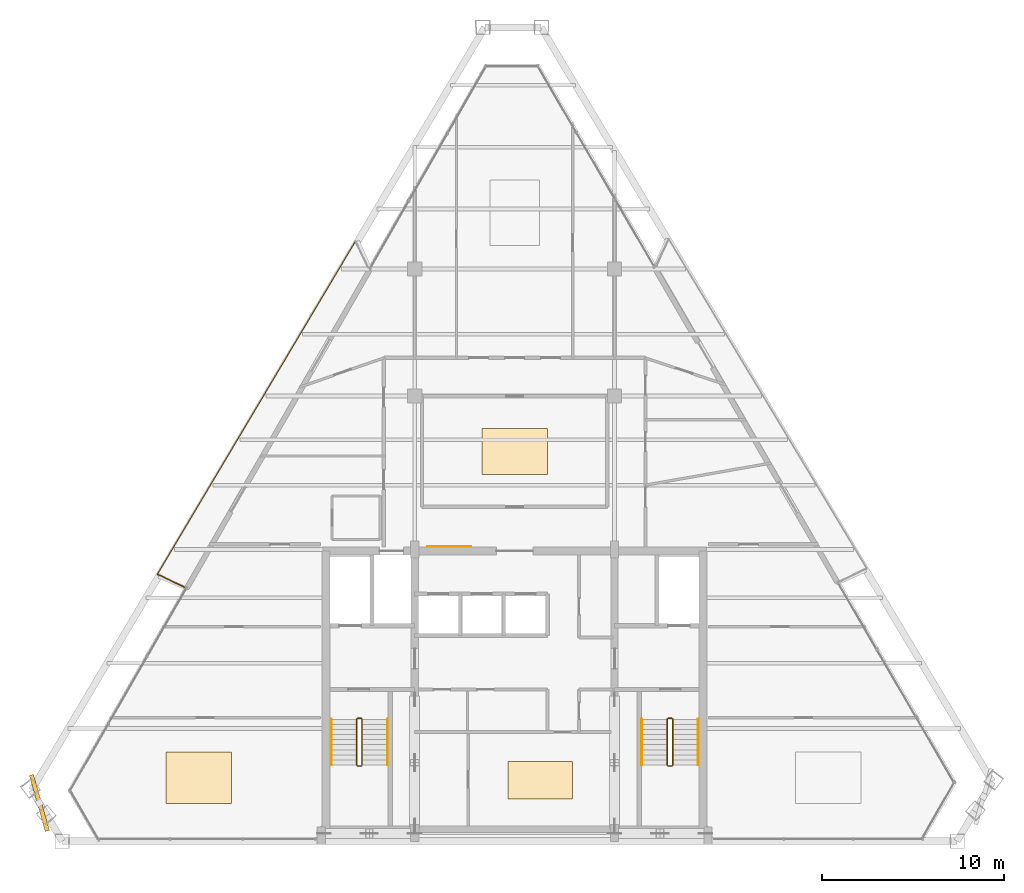
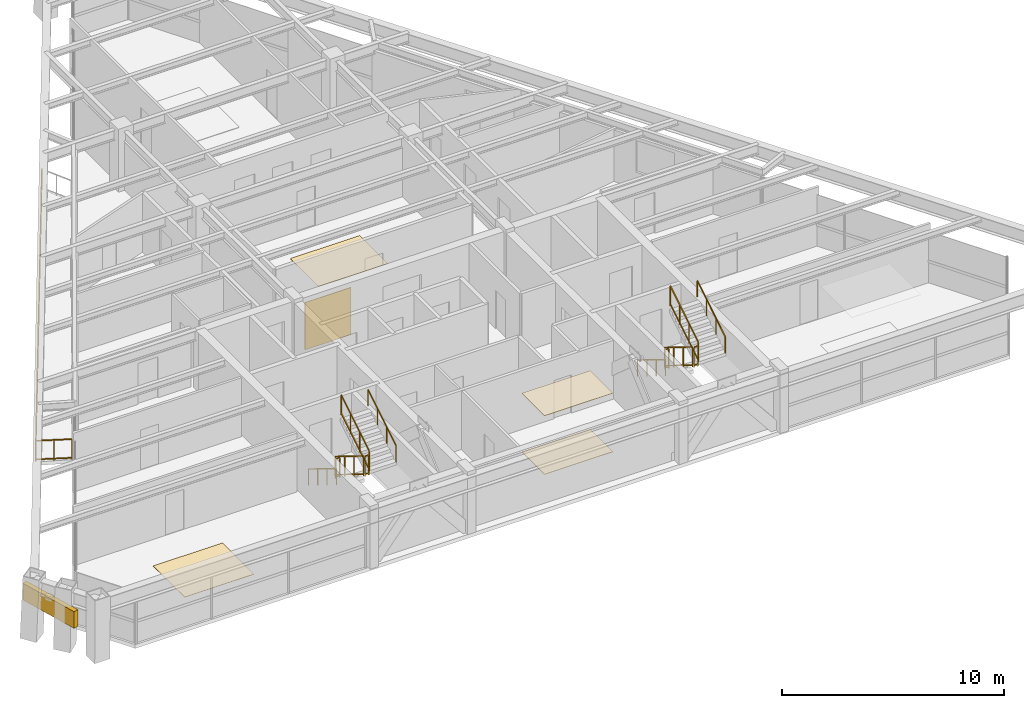
# One storey, part 12 of 13: 14 railings, 5 coverings, 1 shading device.
"""IFC4 building model written with IfcOpenShell, lengths in metres."""

from ifc_helpers import new_model, si_unit, direction, frame, origin, origin_2d, place, context, subcontext, project, spatial, rectangle, extrude, source, transform, mapped, material, layer, layer_set, type_object, type_shapes, element, save


model = new_model("IFC4")

# Units and contexts
model_context = context("Model", 3, precision=1e-05, world=origin(), true_north=direction((0.0, 1.0)))
body_context = subcontext(model_context, "Body", "Model", "MODEL_VIEW")
ifc_project = project(units=[si_unit("LENGTHUNIT", "METRE"), si_unit("AREAUNIT", "SQUARE_METRE"), si_unit("VOLUMEUNIT", "CUBIC_METRE"), si_unit("PLANEANGLEUNIT", "RADIAN"), si_unit("MASSUNIT", "GRAM", prefix="KILO")], contexts=[model_context])

# Site, building, storey
site_placement = place(None, origin())
site = spatial("IfcSite", under=ifc_project, at=site_placement, CompositionType="ELEMENT")
building_placement = place(site_placement, origin())
building = spatial("IfcBuilding", under=site, at=building_placement, Name="Varnakhor Terracotta Tower", CompositionType="ELEMENT")
storey_placement = place(building_placement, frame((0.0, 0.0, 290.25)))
storey = spatial("IfcBuildingStorey", under=building, at=storey_placement, Name="L76", CompositionType="ELEMENT", Elevation=290.25)

# Railings
ifc_material_1 = material(Name="Stainless Steel & Laminated Glass Guardrail", Category="steel")
railing_type_1 = type_object("IfcRailingType", Name="RLG-LOGGIA-GUARD-1150", PredefinedType="GUARDRAIL", material=ifc_material_1)
railing_1_placement = place(storey_placement, frame((-18.173095703125, 13.985107421875, 0.0)))
element("IfcRailing", 1, at=railing_1_placement, inside=storey, type_object=railing_type_1, Name="L76 W Loggia Glass Guard 1", PredefinedType="GUARDRAIL", context=body_context, shape_type="SweptSolid", body=[
    extrude(rectangle(XDim=0.048095703125, YDim=0.048095703125, at=origin_2d()), frame((0.0, 0.0, 1.1259765625), z_axis=(-0.902021450968, 0.431691211394, 0.0), x_axis=(-0.431691211394, -0.902021450968, 0.0)), (0.0, 0.0, 1.0), 1.649169921875),
    extrude(rectangle(XDim=0.048095703125, YDim=0.048095703125, at=origin_2d()), frame((0.0, 0.0, 0.10009765625), z_axis=(-0.902021450968, 0.431691211394, 0.0), x_axis=(-0.431691211394, -0.902021450968, 0.0)), (0.0, 0.0, 1.0), 1.649169921875),
    extrude(rectangle(XDim=0.0419921875, YDim=0.0419921875, at=origin_2d()), origin(), (0.0, 0.0, 1.0), 1.101806640625),
    extrude(rectangle(XDim=0.0419921875, YDim=0.0419921875, at=origin_2d()), frame((-0.74365234375, 0.35595703125, 0.0)), (0.0, 0.0, 1.0), 1.101806640625),
    extrude(rectangle(XDim=0.0419921875, YDim=0.0419921875, at=origin_2d()), frame((-1.487548828125, 0.7119140625, 0.0)), (0.0, 0.0, 1.0), 1.101806640625),
])
railing_2_placement = place(storey_placement, frame((-19.66064453125, 14.697021484375, 0.0)))
element("IfcRailing", 2, at=railing_2_placement, inside=storey, type_object=railing_type_1, Name="L76 W Loggia Glass Guard 2", PredefinedType="GUARDRAIL", context=body_context, shape_type="SweptSolid", body=[
    extrude(rectangle(XDim=0.048095703125, YDim=0.048095703125, at=origin_2d()), frame((0.0, 0.0, 1.1259765625), z_axis=(0.511097350624, 0.859522831684, 0.0), x_axis=(-0.859522831684, 0.511097350624, 0.0)), (0.0, 0.0, 1.0), 21.31298828125),
    extrude(rectangle(XDim=0.048095703125, YDim=0.048095703125, at=origin_2d()), frame((0.0, 0.0, 0.10009765625), z_axis=(0.511097350624, 0.859522831684, 0.0), x_axis=(-0.859522831684, 0.511097350624, 0.0)), (0.0, 0.0, 1.0), 21.31298828125),
    extrude(rectangle(XDim=0.0419921875, YDim=0.0419921875, at=origin_2d()), origin(), (0.0, 0.0, 1.0), 1.101806640625),
    extrude(rectangle(XDim=0.0419921875, YDim=0.0419921875, at=origin_2d()), frame((0.680908203125, 1.14501953125, 0.0)), (0.0, 0.0, 1.0), 1.101806640625),
    extrude(rectangle(XDim=0.0419921875, YDim=0.0419921875, at=origin_2d()), frame((1.361572265625, 2.289794921875, 0.0)), (0.0, 0.0, 1.0), 1.101806640625),
    extrude(rectangle(XDim=0.0419921875, YDim=0.0419921875, at=origin_2d()), frame((2.04248046875, 3.434814453125, 0.0)), (0.0, 0.0, 1.0), 1.101806640625),
    extrude(rectangle(XDim=0.0419921875, YDim=0.0419921875, at=origin_2d()), frame((2.72314453125, 4.579833984375, 0.0)), (0.0, 0.0, 1.0), 1.101806640625),
    extrude(rectangle(XDim=0.0419921875, YDim=0.0419921875, at=origin_2d()), frame((3.404052734375, 5.724609375, 0.0)), (0.0, 0.0, 1.0), 1.101806640625),
    extrude(rectangle(XDim=0.0419921875, YDim=0.0419921875, at=origin_2d()), frame((4.0849609375, 6.86962890625, 0.0)), (0.0, 0.0, 1.0), 1.101806640625),
    extrude(rectangle(XDim=0.0419921875, YDim=0.0419921875, at=origin_2d()), frame((4.765625, 8.0146484375, 0.0)), (0.0, 0.0, 1.0), 1.101806640625),
    extrude(rectangle(XDim=0.0419921875, YDim=0.0419921875, at=origin_2d()), frame((5.446533203125, 9.15966796875, 0.0)), (0.0, 0.0, 1.0), 1.101806640625),
    extrude(rectangle(XDim=0.0419921875, YDim=0.0419921875, at=origin_2d()), frame((6.12744140625, 10.304443359375, 0.0)), (0.0, 0.0, 1.0), 1.101806640625),
    extrude(rectangle(XDim=0.0419921875, YDim=0.0419921875, at=origin_2d()), frame((6.80810546875, 11.449462890625, 0.0)), (0.0, 0.0, 1.0), 1.101806640625),
    extrude(rectangle(XDim=0.0419921875, YDim=0.0419921875, at=origin_2d()), frame((7.489013671875, 12.594482421875, 0.0)), (0.0, 0.0, 1.0), 1.101806640625),
    extrude(rectangle(XDim=0.0419921875, YDim=0.0419921875, at=origin_2d()), frame((8.169921875, 13.7392578125, 0.0)), (0.0, 0.0, 1.0), 1.101806640625),
    extrude(rectangle(XDim=0.0419921875, YDim=0.0419921875, at=origin_2d()), frame((8.8505859375, 14.88427734375, 0.0)), (0.0, 0.0, 1.0), 1.101806640625),
    extrude(rectangle(XDim=0.0419921875, YDim=0.0419921875, at=origin_2d()), frame((9.531494140625, 16.029296875, 0.0)), (0.0, 0.0, 1.0), 1.101806640625),
    extrude(rectangle(XDim=0.0419921875, YDim=0.0419921875, at=origin_2d()), frame((10.212158203125, 17.174072265625, 0.0)), (0.0, 0.0, 1.0), 1.101806640625),
    extrude(rectangle(XDim=0.0419921875, YDim=0.0419921875, at=origin_2d()), frame((10.89306640625, 18.319091796875, 0.0)), (0.0, 0.0, 1.0), 1.101806640625),
])
ifc_material_2 = material(Name="Painted Steel Stairwell Guardrail", Category="steel")
railing_type_2 = type_object("IfcRailingType", Name="RLG-STAIR-GUARD-1120", PredefinedType="GUARDRAIL", material=ifc_material_2)
railing_3_placement = place(storey_placement, frame((-8.699951171875, 6.7099609375, 0.172607421875)))
element("IfcRailing", 3, at=railing_3_placement, inside=storey, type_object=railing_type_2, Name="L76 ST-1 stair guard 1", PredefinedType="GUARDRAIL", context=body_context, shape_type="SweptSolid", body=[
    extrude(rectangle(XDim=0.048095703125, YDim=0.048095703125, at=origin_2d()), frame((0.0, 0.0, 1.09619140625), z_axis=(0.0, -0.851400495292, 0.524516154772), x_axis=(1.0, 0.0, 0.0)), (0.0, 0.0, 1.0), 2.9599609375),
    extrude(rectangle(XDim=0.048095703125, YDim=0.048095703125, at=origin_2d()), frame((0.0, 0.0, 0.10009765625), z_axis=(0.0, -0.851400495292, 0.524516154772), x_axis=(1.0, 0.0, 0.0)), (0.0, 0.0, 1.0), 2.9599609375),
    extrude(rectangle(XDim=0.0419921875, YDim=0.0419921875, at=origin_2d()), origin(), (0.0, 0.0, 1.0), 1.072021484375),
    extrude(rectangle(XDim=0.0419921875, YDim=0.0419921875, at=origin_2d()), frame((0.0, -0.840087890625, 0.517578125)), (0.0, 0.0, 1.0), 1.072021484375),
    extrude(rectangle(XDim=0.0419921875, YDim=0.0419921875, at=origin_2d()), frame((0.0, -1.679931640625, 1.034912109375)), (0.0, 0.0, 1.0), 1.072021484375),
    extrude(rectangle(XDim=0.0419921875, YDim=0.0419921875, at=origin_2d()), frame((0.0, -2.52001953125, 1.552490234375)), (0.0, 0.0, 1.0), 1.072021484375),
])
railing_4_placement = place(storey_placement, frame((-8.64990234375, 4.139892578125, 1.72509765625)))
element("IfcRailing", 4, at=railing_4_placement, inside=storey, type_object=railing_type_2, Name="L76 ST-1 stair guard 2", PredefinedType="GUARDRAIL", context=body_context, shape_type="SweptSolid", body=[
    extrude(rectangle(XDim=0.048095703125, YDim=0.048095703125, at=origin_2d()), frame((0.0, 0.0, 1.09619140625), z_axis=(1.0, 0.0, 0.0), x_axis=(0.0, 1.0, 0.0)), (0.0, 0.0, 1.0), 0.199951171875),
    extrude(rectangle(XDim=0.048095703125, YDim=0.048095703125, at=origin_2d()), frame((0.0, 0.0, 0.10009765625), z_axis=(1.0, 0.0, 0.0), x_axis=(0.0, 1.0, 0.0)), (0.0, 0.0, 1.0), 0.199951171875),
    extrude(rectangle(XDim=0.0419921875, YDim=0.0419921875, at=origin_2d()), origin(), (0.0, 0.0, 1.0), 1.072021484375),
    extrude(rectangle(XDim=0.0419921875, YDim=0.0419921875, at=origin_2d()), frame((0.199951171875, 0.0, 0.0)), (0.0, 0.0, 1.0), 1.072021484375),
])
railing_5_placement = place(storey_placement, frame((-8.39990234375, 4.18994140625, 1.8974609375)))
element("IfcRailing", 5, at=railing_5_placement, inside=storey, type_object=railing_type_2, Name="L76 ST-1 stair guard 3", PredefinedType="GUARDRAIL", context=body_context, shape_type="SweptSolid", body=[
    extrude(rectangle(XDim=0.048095703125, YDim=0.048095703125, at=origin_2d()), frame((0.0, 0.0, 1.09619140625), z_axis=(0.0, 0.851400495292, 0.524516154772), x_axis=(-1.0, 0.0, 0.0)), (0.0, 0.0, 1.0), 2.9599609375),
    extrude(rectangle(XDim=0.048095703125, YDim=0.048095703125, at=origin_2d()), frame((0.0, 0.0, 0.10009765625), z_axis=(0.0, 0.851400495292, 0.524516154772), x_axis=(-1.0, 0.0, 0.0)), (0.0, 0.0, 1.0), 2.9599609375),
    extrude(rectangle(XDim=0.0419921875, YDim=0.0419921875, at=origin_2d()), origin(), (0.0, 0.0, 1.0), 1.072021484375),
    extrude(rectangle(XDim=0.0419921875, YDim=0.0419921875, at=origin_2d()), frame((0.0, 0.840087890625, 0.517578125)), (0.0, 0.0, 1.0), 1.072021484375),
    extrude(rectangle(XDim=0.0419921875, YDim=0.0419921875, at=origin_2d()), frame((0.0, 1.679931640625, 1.034912109375)), (0.0, 0.0, 1.0), 1.072021484375),
    extrude(rectangle(XDim=0.0419921875, YDim=0.0419921875, at=origin_2d()), frame((0.0, 2.52001953125, 1.552490234375)), (0.0, 0.0, 1.0), 1.072021484375),
])
railing_6_placement = place(storey_placement, frame((-8.64990234375, 6.760009765625, 0.0)))
element("IfcRailing", 6, at=railing_6_placement, inside=storey, type_object=railing_type_2, Name="L76 ST-1 stair guard 4", PredefinedType="GUARDRAIL", context=body_context, shape_type="SweptSolid", body=[
    extrude(rectangle(XDim=0.048095703125, YDim=0.048095703125, at=origin_2d()), frame((0.0, 0.0, 1.09619140625), z_axis=(1.0, 0.0, 0.0), x_axis=(0.0, 1.0, 0.0)), (0.0, 0.0, 1.0), 0.199951171875),
    extrude(rectangle(XDim=0.048095703125, YDim=0.048095703125, at=origin_2d()), frame((0.0, 0.0, 0.10009765625), z_axis=(1.0, 0.0, 0.0), x_axis=(0.0, 1.0, 0.0)), (0.0, 0.0, 1.0), 0.199951171875),
    extrude(rectangle(XDim=0.0419921875, YDim=0.0419921875, at=origin_2d()), origin(), (0.0, 0.0, 1.0), 1.072021484375),
    extrude(rectangle(XDim=0.0419921875, YDim=0.0419921875, at=origin_2d()), frame((0.199951171875, 0.0, 0.0)), (0.0, 0.0, 1.0), 1.072021484375),
])
railing_7_placement = place(storey_placement, frame((8.39990234375, 6.7099609375, 0.172607421875)))
element("IfcRailing", 7, at=railing_7_placement, inside=storey, type_object=railing_type_2, Name="L76 ST-2 stair guard 1", PredefinedType="GUARDRAIL", context=body_context, shape_type="SweptSolid", body=[
    extrude(rectangle(XDim=0.048095703125, YDim=0.048095703125, at=origin_2d()), frame((0.0, 0.0, 1.09619140625), z_axis=(0.0, -0.851400495292, 0.524516154772), x_axis=(1.0, 0.0, 0.0)), (0.0, 0.0, 1.0), 2.9599609375),
    extrude(rectangle(XDim=0.048095703125, YDim=0.048095703125, at=origin_2d()), frame((0.0, 0.0, 0.10009765625), z_axis=(0.0, -0.851400495292, 0.524516154772), x_axis=(1.0, 0.0, 0.0)), (0.0, 0.0, 1.0), 2.9599609375),
    extrude(rectangle(XDim=0.0419921875, YDim=0.0419921875, at=origin_2d()), origin(), (0.0, 0.0, 1.0), 1.072021484375),
    extrude(rectangle(XDim=0.0419921875, YDim=0.0419921875, at=origin_2d()), frame((0.0, -0.840087890625, 0.517578125)), (0.0, 0.0, 1.0), 1.072021484375),
    extrude(rectangle(XDim=0.0419921875, YDim=0.0419921875, at=origin_2d()), frame((0.0, -1.679931640625, 1.034912109375)), (0.0, 0.0, 1.0), 1.072021484375),
    extrude(rectangle(XDim=0.0419921875, YDim=0.0419921875, at=origin_2d()), frame((0.0, -2.52001953125, 1.552490234375)), (0.0, 0.0, 1.0), 1.072021484375),
])
railing_8_placement = place(storey_placement, frame((8.449951171875, 4.139892578125, 1.72509765625)))
element("IfcRailing", 8, at=railing_8_placement, inside=storey, type_object=railing_type_2, Name="L76 ST-2 stair guard 2", PredefinedType="GUARDRAIL", context=body_context, shape_type="SweptSolid", body=[
    extrude(rectangle(XDim=0.048095703125, YDim=0.048095703125, at=origin_2d()), frame((0.0, 0.0, 1.09619140625), z_axis=(1.0, 0.0, 0.0), x_axis=(0.0, 1.0, 0.0)), (0.0, 0.0, 1.0), 0.199951171875),
    extrude(rectangle(XDim=0.048095703125, YDim=0.048095703125, at=origin_2d()), frame((0.0, 0.0, 0.10009765625), z_axis=(1.0, 0.0, 0.0), x_axis=(0.0, 1.0, 0.0)), (0.0, 0.0, 1.0), 0.199951171875),
    extrude(rectangle(XDim=0.0419921875, YDim=0.0419921875, at=origin_2d()), origin(), (0.0, 0.0, 1.0), 1.072021484375),
    extrude(rectangle(XDim=0.0419921875, YDim=0.0419921875, at=origin_2d()), frame((0.199951171875, 0.0, 0.0)), (0.0, 0.0, 1.0), 1.072021484375),
])
railing_9_placement = place(storey_placement, frame((8.699951171875, 4.18994140625, 1.8974609375)))
element("IfcRailing", 9, at=railing_9_placement, inside=storey, type_object=railing_type_2, Name="L76 ST-2 stair guard 3", PredefinedType="GUARDRAIL", context=body_context, shape_type="SweptSolid", body=[
    extrude(rectangle(XDim=0.048095703125, YDim=0.048095703125, at=origin_2d()), frame((0.0, 0.0, 1.09619140625), z_axis=(0.0, 0.851400495292, 0.524516154772), x_axis=(-1.0, 0.0, 0.0)), (0.0, 0.0, 1.0), 2.9599609375),
    extrude(rectangle(XDim=0.048095703125, YDim=0.048095703125, at=origin_2d()), frame((0.0, 0.0, 0.10009765625), z_axis=(0.0, 0.851400495292, 0.524516154772), x_axis=(-1.0, 0.0, 0.0)), (0.0, 0.0, 1.0), 2.9599609375),
    extrude(rectangle(XDim=0.0419921875, YDim=0.0419921875, at=origin_2d()), origin(), (0.0, 0.0, 1.0), 1.072021484375),
    extrude(rectangle(XDim=0.0419921875, YDim=0.0419921875, at=origin_2d()), frame((0.0, 0.840087890625, 0.517578125)), (0.0, 0.0, 1.0), 1.072021484375),
    extrude(rectangle(XDim=0.0419921875, YDim=0.0419921875, at=origin_2d()), frame((0.0, 1.679931640625, 1.034912109375)), (0.0, 0.0, 1.0), 1.072021484375),
    extrude(rectangle(XDim=0.0419921875, YDim=0.0419921875, at=origin_2d()), frame((0.0, 2.52001953125, 1.552490234375)), (0.0, 0.0, 1.0), 1.072021484375),
])
railing_10_placement = place(storey_placement, frame((8.449951171875, 6.760009765625, 0.0)))
element("IfcRailing", 10, at=railing_10_placement, inside=storey, type_object=railing_type_2, Name="L76 ST-2 stair guard 4", PredefinedType="GUARDRAIL", context=body_context, shape_type="SweptSolid", body=[
    extrude(rectangle(XDim=0.048095703125, YDim=0.048095703125, at=origin_2d()), frame((0.0, 0.0, 1.09619140625), z_axis=(1.0, 0.0, 0.0), x_axis=(0.0, 1.0, 0.0)), (0.0, 0.0, 1.0), 0.199951171875),
    extrude(rectangle(XDim=0.048095703125, YDim=0.048095703125, at=origin_2d()), frame((0.0, 0.0, 0.10009765625), z_axis=(1.0, 0.0, 0.0), x_axis=(0.0, 1.0, 0.0)), (0.0, 0.0, 1.0), 0.199951171875),
    extrude(rectangle(XDim=0.0419921875, YDim=0.0419921875, at=origin_2d()), origin(), (0.0, 0.0, 1.0), 1.072021484375),
    extrude(rectangle(XDim=0.0419921875, YDim=0.0419921875, at=origin_2d()), frame((0.199951171875, 0.0, 0.0)), (0.0, 0.0, 1.0), 1.072021484375),
])
ifc_material_3 = material(Name="Brushed Stainless Steel Handrail", Category="steel")
railing_type_3 = type_object("IfcRailingType", Name="RLG-STAIR-HANDRAIL-920", PredefinedType="HANDRAIL", material=ifc_material_3)
railing_11_placement = place(storey_placement, frame((-10.10009765625, 6.7099609375, 0.172607421875)))
element("IfcRailing", 11, at=railing_11_placement, inside=storey, type_object=railing_type_3, Name="L76 ST-1 stair handrail 1", PredefinedType="HANDRAIL", context=body_context, shape_type="SweptSolid", body=[
    extrude(rectangle(XDim=0.048095703125, YDim=0.048095703125, at=origin_2d()), frame((0.0, 0.0, 0.89599609375), z_axis=(0.0, -0.851400495292, 0.524516154772), x_axis=(1.0, 0.0, 0.0)), (0.0, 0.0, 1.0), 2.9599609375),
    extrude(rectangle(XDim=0.0419921875, YDim=0.0419921875, at=origin_2d()), origin(), (0.0, 0.0, 1.0), 0.871826171875),
    extrude(rectangle(XDim=0.0419921875, YDim=0.0419921875, at=origin_2d()), frame((0.0, -0.840087890625, 0.517578125)), (0.0, 0.0, 1.0), 0.871826171875),
    extrude(rectangle(XDim=0.0419921875, YDim=0.0419921875, at=origin_2d()), frame((0.0, -1.679931640625, 1.034912109375)), (0.0, 0.0, 1.0), 0.871826171875),
    extrude(rectangle(XDim=0.0419921875, YDim=0.0419921875, at=origin_2d()), frame((0.0, -2.52001953125, 1.552490234375)), (0.0, 0.0, 1.0), 0.871826171875),
])
railing_12_placement = place(storey_placement, frame((-7.0, 4.18994140625, 1.8974609375)))
element("IfcRailing", 12, at=railing_12_placement, inside=storey, type_object=railing_type_3, Name="L76 ST-1 stair handrail 2", PredefinedType="HANDRAIL", context=body_context, shape_type="SweptSolid", body=[
    extrude(rectangle(XDim=0.048095703125, YDim=0.048095703125, at=origin_2d()), frame((0.0, 0.0, 0.89599609375), z_axis=(0.0, 0.851400495292, 0.524516154772), x_axis=(-1.0, 0.0, 0.0)), (0.0, 0.0, 1.0), 2.9599609375),
    extrude(rectangle(XDim=0.0419921875, YDim=0.0419921875, at=origin_2d()), origin(), (0.0, 0.0, 1.0), 0.871826171875),
    extrude(rectangle(XDim=0.0419921875, YDim=0.0419921875, at=origin_2d()), frame((0.0, 0.840087890625, 0.517578125)), (0.0, 0.0, 1.0), 0.871826171875),
    extrude(rectangle(XDim=0.0419921875, YDim=0.0419921875, at=origin_2d()), frame((0.0, 1.679931640625, 1.034912109375)), (0.0, 0.0, 1.0), 0.871826171875),
    extrude(rectangle(XDim=0.0419921875, YDim=0.0419921875, at=origin_2d()), frame((0.0, 2.52001953125, 1.552490234375)), (0.0, 0.0, 1.0), 0.871826171875),
])
railing_13_placement = place(storey_placement, frame((7.0, 6.7099609375, 0.172607421875)))
element("IfcRailing", 13, at=railing_13_placement, inside=storey, type_object=railing_type_3, Name="L76 ST-2 stair handrail 1", PredefinedType="HANDRAIL", context=body_context, shape_type="SweptSolid", body=[
    extrude(rectangle(XDim=0.048095703125, YDim=0.048095703125, at=origin_2d()), frame((0.0, 0.0, 0.89599609375), z_axis=(0.0, -0.851400495292, 0.524516154772), x_axis=(1.0, 0.0, 0.0)), (0.0, 0.0, 1.0), 2.9599609375),
    extrude(rectangle(XDim=0.0419921875, YDim=0.0419921875, at=origin_2d()), origin(), (0.0, 0.0, 1.0), 0.871826171875),
    extrude(rectangle(XDim=0.0419921875, YDim=0.0419921875, at=origin_2d()), frame((0.0, -0.840087890625, 0.517578125)), (0.0, 0.0, 1.0), 0.871826171875),
    extrude(rectangle(XDim=0.0419921875, YDim=0.0419921875, at=origin_2d()), frame((0.0, -1.679931640625, 1.034912109375)), (0.0, 0.0, 1.0), 0.871826171875),
    extrude(rectangle(XDim=0.0419921875, YDim=0.0419921875, at=origin_2d()), frame((0.0, -2.52001953125, 1.552490234375)), (0.0, 0.0, 1.0), 0.871826171875),
])
railing_14_placement = place(storey_placement, frame((10.10009765625, 4.18994140625, 1.8974609375)))
element("IfcRailing", 14, at=railing_14_placement, inside=storey, type_object=railing_type_3, Name="L76 ST-2 stair handrail 2", PredefinedType="HANDRAIL", context=body_context, shape_type="SweptSolid", body=[
    extrude(rectangle(XDim=0.048095703125, YDim=0.048095703125, at=origin_2d()), frame((0.0, 0.0, 0.89599609375), z_axis=(0.0, 0.851400495292, 0.524516154772), x_axis=(-1.0, 0.0, 0.0)), (0.0, 0.0, 1.0), 2.9599609375),
    extrude(rectangle(XDim=0.0419921875, YDim=0.0419921875, at=origin_2d()), origin(), (0.0, 0.0, 1.0), 0.871826171875),
    extrude(rectangle(XDim=0.0419921875, YDim=0.0419921875, at=origin_2d()), frame((0.0, 0.840087890625, 0.517578125)), (0.0, 0.0, 1.0), 0.871826171875),
    extrude(rectangle(XDim=0.0419921875, YDim=0.0419921875, at=origin_2d()), frame((0.0, 1.679931640625, 1.034912109375)), (0.0, 0.0, 1.0), 0.871826171875),
    extrude(rectangle(XDim=0.0419921875, YDim=0.0419921875, at=origin_2d()), frame((0.0, 2.52001953125, 1.552490234375)), (0.0, 0.0, 1.0), 0.871826171875),
])

# Shading device
ifc_material_4 = material(Name="Extruded Architectural Terracotta Screen", Category="masonry")
shading_device_type = type_object("IfcShadingDeviceType", Name="TERRACOTTA SOLAR SCREEN W", PredefinedType="USERDEFINED", material=ifc_material_4)
shared_shape_1 = source(origin(), body_context, "Body", "SweptSolid", [
    extrude(rectangle(XDim=3.199951171875, YDim=0.239990234375, at=origin_2d()), origin(), (0.0, 0.0, 1.0), 0.919921875),
])
type_shapes(shading_device_type, [shared_shape_1])
shading_device_placement = place(storey_placement, frame((-26.1611328125, 2.1103515625, 1.56201171875), z_axis=(0.0, 0.0, 1.0), x_axis=(0.273875289887, -0.961765213339, 0.0)))
element("IfcShadingDevice", 15, at=shading_device_placement, inside=storey, type_object=shading_device_type, Name="L76 W Terracotta Solar Screen", ObjectType="SCREEN", PredefinedType="USERDEFINED", context=body_context, shape_type="MappedRepresentation", body=[
    mapped(shared_shape_1, transform((0.0, 0.0, 0.0), scale=1.0)),
])

# Coverings
ifc_material_5 = material(Name="Extruded Architectural Terracotta Cladding", Category="masonry")
ifc_layer_1 = layer(ifc_material_5, 0.044921875, Name="Extruded Architectural Terracotta Cladding")
ifc_layer_set_1 = layer_set([ifc_layer_1], Name="Extruded Architectural Terracotta Cladding")
covering_type_1 = type_object("IfcCoveringType", Name="COV-CLAD-TERRACOTTA", PredefinedType="CLADDING", material=ifc_layer_set_1)
shared_shape_2 = source(origin(), body_context, "Body", "SweptSolid", [
    extrude(rectangle(XDim=2.39990234375, YDim=0.030029296875, at=origin_2d()), origin(), (0.0, 0.0, 1.0), 2.60009765625),
])
type_shapes(covering_type_1, [shared_shape_2])
covering_1_placement = place(storey_placement, frame((-3.60009765625, 16.2119140625, 0.0), z_axis=(0.0, 0.0, 1.0), x_axis=(1.0, 0.0, 0.0)))
element("IfcCovering", 16, at=covering_1_placement, inside=storey, type_object=covering_type_1, Name="L76 Core Lobby Limestone Cladding", PredefinedType="CLADDING", context=body_context, shape_type="MappedRepresentation", body=[
    mapped(shared_shape_2, transform((0.0, 0.0, 0.0), scale=1.0)),
])
ifc_material_6 = material(Name="Honed Riyadh Limestone Flooring", Category="masonry")
ifc_layer_2 = layer(ifc_material_6, 0.030029296875, Name="Honed Riyadh Limestone Flooring")
ifc_layer_set_2 = layer_set([ifc_layer_2], Name="Honed Riyadh Limestone Flooring")
covering_type_2 = type_object("IfcCoveringType", Name="COV-FLOOR-LIMESTONE", PredefinedType="FLOORING", material=ifc_layer_set_2)
shared_shape_3 = source(origin(), body_context, "Body", "SweptSolid", [
    extrude(rectangle(XDim=3.547119140625, YDim=2.041015625, at=origin_2d()), origin(), (0.0, 0.0, 1.0), 0.02001953125),
])
covering_2_placement = place(storey_placement, frame((1.4150390625, 3.35498046875, 0.0), z_axis=(0.0, 0.0, 1.0), x_axis=(1.0, 0.0, 0.0)))
element("IfcCovering", 17, at=covering_2_placement, inside=storey, type_object=covering_type_2, Name="L76 Honed Stone Flooring 1", PredefinedType="FLOORING", context=body_context, shape_type="MappedRepresentation", body=[
    mapped(shared_shape_3, transform((0.0, 0.0, 0.0), scale=1.0)),
])
ifc_material_7 = material(Name="Perforated Acoustic Mineral-Fibre Ceiling", Category="gypsum")
ifc_layer_3 = layer(ifc_material_7, 0.02490234375, Name="Perforated Acoustic Mineral-Fibre Ceiling")
ifc_layer_set_3 = layer_set([ifc_layer_3], Name="Perforated Acoustic Mineral-Fibre Ceiling")
covering_type_3 = type_object("IfcCoveringType", Name="COV-CEILING-ACOUSTIC", PredefinedType="CEILING", material=ifc_layer_set_3)
shared_shape_4 = source(origin(), body_context, "Body", "SweptSolid", [
    extrude(rectangle(XDim=3.547119140625, YDim=2.041015625, at=origin_2d()), origin(), (0.0, 0.0, 1.0), 0.02392578125),
])
covering_3_placement = place(storey_placement, frame((1.4150390625, 3.35498046875, 3.216064453125), z_axis=(0.0, 0.0, 1.0), x_axis=(1.0, 0.0, 0.0)))
element("IfcCovering", 18, at=covering_3_placement, inside=storey, type_object=covering_type_3, Name="L76 Acoustic Ceiling Panel 1", PredefinedType="CEILING", context=body_context, shape_type="MappedRepresentation", body=[
    mapped(shared_shape_4, transform((0.0, 0.0, 0.0), scale=1.0)),
])
shared_shape_5 = source(origin(), body_context, "Body", "SweptSolid", [
    extrude(rectangle(XDim=3.60009765625, YDim=2.83203125, at=origin_2d()), origin(), (0.0, 0.0, 1.0), 0.02001953125),
])
covering_4_placement = place(storey_placement, frame((-17.39892578125, 3.50390625, 0.0), z_axis=(0.0, 0.0, 1.0), x_axis=(1.0, 0.0, 0.0)))
element("IfcCovering", 19, at=covering_4_placement, inside=storey, type_object=covering_type_2, Name="L76 Honed Stone Flooring 3", PredefinedType="FLOORING", context=body_context, shape_type="MappedRepresentation", body=[
    mapped(shared_shape_5, transform((0.0, 0.0, 0.0), scale=1.0)),
])
shared_shape_6 = source(origin(), body_context, "Body", "SweptSolid", [
    extrude(rectangle(XDim=3.60009765625, YDim=2.531982421875, at=origin_2d()), origin(), (0.0, 0.0, 1.0), 0.02001953125),
])
covering_5_placement = place(storey_placement, frame((0.0, 21.449951171875, 0.0), z_axis=(0.0, 0.0, 1.0), x_axis=(1.0, 0.0, 0.0)))
element("IfcCovering", 20, at=covering_5_placement, inside=storey, type_object=covering_type_2, Name="L76 Honed Stone Flooring 4", PredefinedType="FLOORING", context=body_context, shape_type="MappedRepresentation", body=[
    mapped(shared_shape_6, transform((0.0, 0.0, 0.0), scale=1.0)),
])

save(model, "model.ifc")
